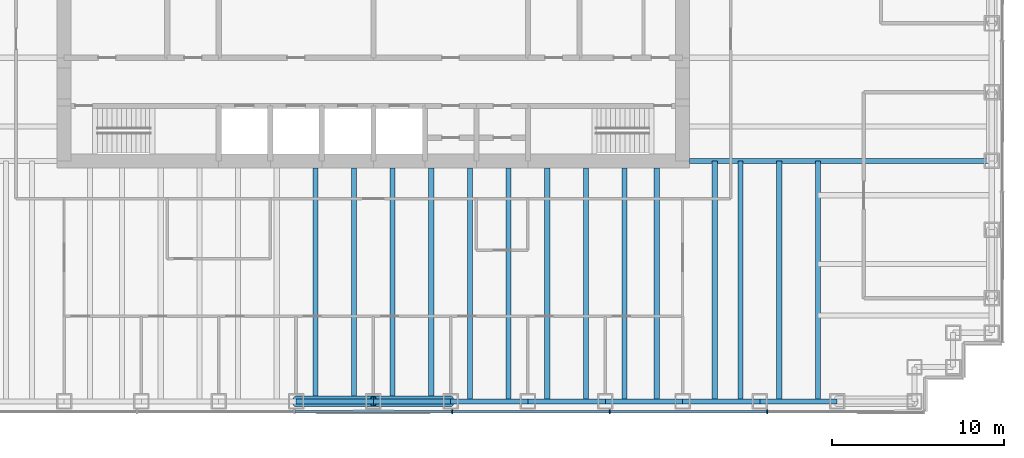
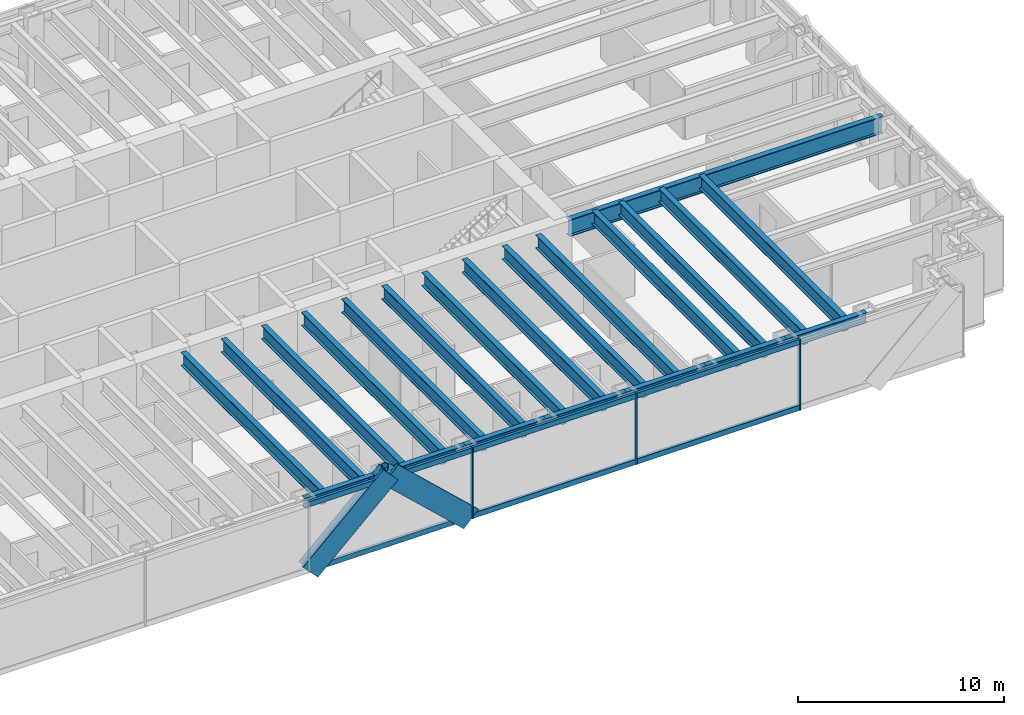
# One storey, part 3 of 14: 22 beams, 13 members, 1 element without a shape of its own.
"""IFC4 building model written with IfcOpenShell, lengths in metres."""

from ifc_helpers import new_model, si_unit, direction, frame, origin, origin_2d, place, context, subcontext, project, spatial, rectangle, hollow_circle, i_section, extrude, material, material_profile, profile_set, type_object, element, aggregate, save


model = new_model("IFC4")

# Units and contexts
model_context = context("Model", 3, precision=1e-05, world=origin(), true_north=direction((0.0, 1.0)))
body_context = subcontext(model_context, "Body", "Model", "MODEL_VIEW")
ifc_project = project(units=[si_unit("LENGTHUNIT", "METRE"), si_unit("AREAUNIT", "SQUARE_METRE"), si_unit("VOLUMEUNIT", "CUBIC_METRE"), si_unit("PLANEANGLEUNIT", "RADIAN"), si_unit("MASSUNIT", "GRAM", prefix="KILO")], contexts=[model_context])

# Site, building, storey
site_placement = place(None, origin())
site = spatial("IfcSite", under=ifc_project, at=site_placement, CompositionType="ELEMENT")
building_placement = place(site_placement, origin())
building = spatial("IfcBuilding", under=site, at=building_placement, Name="Rheinbord Bourse Tower", CompositionType="ELEMENT")
storey_placement = place(building_placement, frame((0.0, 0.0, 211.0)))
storey = spatial("IfcBuildingStorey", under=building, at=storey_placement, Name="L47", CompositionType="ELEMENT", Elevation=211.0)

# Curtain wall, members
ifc_material_1 = material(Name="Dark glass and black aluminium", Category="aluminium")
curtain_wall_type = type_object("IfcCurtainWallType", Name="CW2 DARK GLASS CURTAIN WALL", PredefinedType="USERDEFINED", material=ifc_material_1)
curtain_wall_placement = place(storey_placement, origin())
curtain_wall = element("IfcCurtainWall", 1, at=curtain_wall_placement, inside=storey, type_object=curtain_wall_type, Name="Curtain wall CW2 S L47", ObjectType="UNITISED CURTAIN WALL", PredefinedType="USERDEFINED")
ifc_material_2 = material(Name="Black anodised aluminium", Category="aluminium")
ifc_material_profile_1 = material_profile(ifc_material_2, rectangle(XDim=0.159912109375, YDim=1.2099609375, at=origin_2d()), Name="CW2 DIAGONAL MULLION 1210x160")
ifc_profile_set_1 = profile_set([ifc_material_profile_1], Name="Black anodised aluminium")
member_type_1 = type_object("IfcMemberType", Name="CW2 BLACK DIAGONAL MULLION", PredefinedType="USERDEFINED", material=ifc_profile_set_1)
member_1_placement = place(storey_placement, frame((40.5, 1.39990234375, 0.0), z_axis=(-0.73105922506, 0.0, 0.682314010889), x_axis=(0.0, -1.0, 0.0)))
member_1 = element("IfcMember", 2, at=member_1_placement, type_object=member_type_1, Name="CW2 diagonal mullion a", ObjectType="DIAGONAL MULLION", PredefinedType="USERDEFINED", context=body_context, shape_type="SweptSolid", body=[
    extrude(rectangle(XDim=0.159912109375, YDim=1.2099609375, at=origin_2d()), origin(), (0.0, 0.0, 1.0), 6.155517578125),
])
member_2_placement = place(storey_placement, frame((31.5, 1.39990234375, 0.0), z_axis=(0.73105922506, 0.0, 0.682314010889), x_axis=(0.0, 1.0, 0.0)))
member_2 = element("IfcMember", 3, at=member_2_placement, type_object=member_type_1, Name="CW2 diagonal mullion b", ObjectType="DIAGONAL MULLION", PredefinedType="USERDEFINED", context=body_context, shape_type="SweptSolid", body=[
    extrude(rectangle(XDim=0.159912109375, YDim=1.2099609375, at=origin_2d()), origin(), (0.0, 0.0, 1.0), 6.155517578125),
])
ifc_material_3 = material(Name="Black anodised aluminium", Category="aluminium")
ifc_material_profile_2 = material_profile(ifc_material_3, rectangle(XDim=0.219970703125, YDim=0.070068359375, at=origin_2d()), Name="CW2 MULLION 70x220")
ifc_profile_set_2 = profile_set([ifc_material_profile_2], Name="Black anodised aluminium")
member_type_2 = type_object("IfcMemberType", Name="CW2 BLACK MULLION", PredefinedType="MULLION", material=ifc_profile_set_2)
member_3_placement = place(storey_placement, frame((40.585693359375, 1.39990234375, 0.0), z_axis=(0.0, 0.0, 1.0), x_axis=(0.0, 1.0, 0.0)))
member_3 = element("IfcMember", 4, at=member_3_placement, type_object=member_type_2, Name="CW2 mullion 5", PredefinedType="MULLION", context=body_context, shape_type="SweptSolid", body=[
    extrude(rectangle(XDim=0.219970703125, YDim=0.070068359375, at=origin_2d()), origin(), (0.0, 0.0, 1.0), 4.199951171875),
])
member_4_placement = place(storey_placement, frame((49.757080078125, 1.39990234375, 0.0), z_axis=(0.0, 0.0, 1.0), x_axis=(0.0, 1.0, 0.0)))
member_4 = element("IfcMember", 5, at=member_4_placement, type_object=member_type_2, Name="CW2 mullion 6", PredefinedType="MULLION", context=body_context, shape_type="SweptSolid", body=[
    extrude(rectangle(XDim=0.219970703125, YDim=0.070068359375, at=origin_2d()), origin(), (0.0, 0.0, 1.0), 4.199951171875),
])
member_5_placement = place(storey_placement, frame((58.928466796875, 1.39990234375, 0.0), z_axis=(0.0, 0.0, 1.0), x_axis=(0.0, 1.0, 0.0)))
member_5 = element("IfcMember", 6, at=member_5_placement, type_object=member_type_2, Name="CW2 mullion 7", PredefinedType="MULLION", context=body_context, shape_type="SweptSolid", body=[
    extrude(rectangle(XDim=0.219970703125, YDim=0.070068359375, at=origin_2d()), origin(), (0.0, 0.0, 1.0), 4.199951171875),
])
ifc_material_4 = material(Name="Black anodised aluminium", Category="aluminium")
ifc_material_profile_3 = material_profile(ifc_material_4, rectangle(XDim=0.159912109375, YDim=0.300048828125, at=origin_2d()), Name="CW2 TRANSOM 300x160")
ifc_profile_set_3 = profile_set([ifc_material_profile_3], Name="Black anodised aluminium")
member_type_3 = type_object("IfcMemberType", Name="CW2 BLACK TRANSOM", PredefinedType="USERDEFINED", material=ifc_profile_set_3)
member_6_placement = place(storey_placement, frame((31.44921875, 1.39990234375, 0.14990234375), z_axis=(1.0, 0.0, 0.0), x_axis=(0.0, 1.0, 0.0)))
member_6 = element("IfcMember", 7, at=member_6_placement, type_object=member_type_3, Name="CW2 transom 4.1", ObjectType="TRANSOM", PredefinedType="USERDEFINED", context=body_context, shape_type="SweptSolid", body=[
    extrude(rectangle(XDim=0.159912109375, YDim=0.300048828125, at=origin_2d()), origin(), (0.0, 0.0, 1.0), 9.1015625),
])
member_7_placement = place(storey_placement, frame((31.44921875, 1.39990234375, 4.050048828125), z_axis=(1.0, 0.0, 0.0), x_axis=(0.0, 1.0, 0.0)))
member_7 = element("IfcMember", 8, at=member_7_placement, type_object=member_type_3, Name="CW2 transom 4.2", ObjectType="TRANSOM", PredefinedType="USERDEFINED", context=body_context, shape_type="SweptSolid", body=[
    extrude(rectangle(XDim=0.159912109375, YDim=0.300048828125, at=origin_2d()), origin(), (0.0, 0.0, 1.0), 9.1015625),
])
member_8_placement = place(storey_placement, frame((40.62060546875, 1.39990234375, 0.14990234375), z_axis=(1.0, 0.0, 0.0), x_axis=(0.0, 1.0, 0.0)))
member_8 = element("IfcMember", 9, at=member_8_placement, type_object=member_type_3, Name="CW2 transom 5.1", ObjectType="TRANSOM", PredefinedType="USERDEFINED", context=body_context, shape_type="SweptSolid", body=[
    extrude(rectangle(XDim=0.159912109375, YDim=0.300048828125, at=origin_2d()), origin(), (0.0, 0.0, 1.0), 9.1015625),
])
member_9_placement = place(storey_placement, frame((40.62060546875, 1.39990234375, 4.050048828125), z_axis=(1.0, 0.0, 0.0), x_axis=(0.0, 1.0, 0.0)))
member_9 = element("IfcMember", 10, at=member_9_placement, type_object=member_type_3, Name="CW2 transom 5.2", ObjectType="TRANSOM", PredefinedType="USERDEFINED", context=body_context, shape_type="SweptSolid", body=[
    extrude(rectangle(XDim=0.159912109375, YDim=0.300048828125, at=origin_2d()), origin(), (0.0, 0.0, 1.0), 9.1015625),
])
member_10_placement = place(storey_placement, frame((49.792236328125, 1.39990234375, 0.14990234375), z_axis=(1.0, 0.0, 0.0), x_axis=(0.0, 1.0, 0.0)))
member_10 = element("IfcMember", 11, at=member_10_placement, type_object=member_type_3, Name="CW2 transom 6.1", ObjectType="TRANSOM", PredefinedType="USERDEFINED", context=body_context, shape_type="SweptSolid", body=[
    extrude(rectangle(XDim=0.159912109375, YDim=0.300048828125, at=origin_2d()), origin(), (0.0, 0.0, 1.0), 9.101318359375),
])
member_11_placement = place(storey_placement, frame((49.792236328125, 1.39990234375, 4.050048828125), z_axis=(1.0, 0.0, 0.0), x_axis=(0.0, 1.0, 0.0)))
member_11 = element("IfcMember", 12, at=member_11_placement, type_object=member_type_3, Name="CW2 transom 6.2", ObjectType="TRANSOM", PredefinedType="USERDEFINED", context=body_context, shape_type="SweptSolid", body=[
    extrude(rectangle(XDim=0.159912109375, YDim=0.300048828125, at=origin_2d()), origin(), (0.0, 0.0, 1.0), 9.101318359375),
])
aggregate(curtain_wall, [member_3, member_4, member_5, member_6, member_7, member_8, member_9, member_10, member_11, member_1, member_2])

# Beams
ifc_material_5 = material(Name="Steel S460", Category="steel")
ifc_material_profile_4 = material_profile(ifc_material_5, i_section(OverallWidth=0.300048828125, OverallDepth=0.800048828125, WebThickness=0.017578125, FlangeThickness=0.032958984375, at=origin_2d()), Name="HEB 800")
ifc_profile_set_4 = profile_set([ifc_material_profile_4], Name="Steel S460")
beam_type_1 = type_object("IfcBeamType", Name="FLOOR BEAM HEB 800", PredefinedType="BEAM", material=ifc_profile_set_4)
for number, where, z_axis, x_axis, name in (
    (13, (32.625, 2.0, 3.639892578125), (0.0, 1.0, 0.0), (-1.0, 0.0, 0.0), "Floor beam S-31.5a L48"),
    (14, (34.875, 2.0, 3.639892578125), (0.0, 1.0, 0.0), (-1.0, 0.0, 0.0), "Floor beam S-31.5b L48"),
    (15, (37.125, 2.0, 3.639892578125), (0.0, 1.0, 0.0), (-1.0, 0.0, 0.0), "Floor beam S-36a L48"),
    (16, (39.375, 2.0, 3.639892578125), (0.0, 1.0, 0.0), (-1.0, 0.0, 0.0), "Floor beam S-36b L48"),
    (17, (41.625, 2.0, 3.639892578125), (0.0, 1.0, 0.0), (-1.0, 0.0, 0.0), "Floor beam S-40.5a L48"),
    (18, (43.875, 2.0, 3.639892578125), (0.0, 1.0, 0.0), (-1.0, 0.0, 0.0), "Floor beam S-40.5b L48"),
    (19, (46.125, 2.0, 3.639892578125), (0.0, 1.0, 0.0), (-1.0, 0.0, 0.0), "Floor beam S-45a L48"),
    (20, (48.375, 2.0, 3.639892578125), (0.0, 1.0, 0.0), (-1.0, 0.0, 0.0), "Floor beam S-45b L48"),
    (21, (50.625, 2.0, 3.639892578125), (0.0, 1.0, 0.0), (-1.0, 0.0, 0.0), "Floor beam S-49.5a L48"),
    (22, (52.5, 2.0, 3.639892578125), (0.0, 1.0, 0.0), (-1.0, 0.0, 0.0), "Floor beam S-49.5b L48"),
):
    element("IfcBeam", number, at=place(storey_placement, frame(where, z_axis=z_axis, x_axis=x_axis)), inside=storey, type_object=beam_type_1, Name=name, PredefinedType="BEAM", context=body_context, shape_type="SweptSolid", body=[
        extrude(i_section(OverallWidth=0.300048828125, OverallDepth=0.800048828125, WebThickness=0.017578125, FlangeThickness=0.032958984375, at=origin_2d()), origin(), (0.0, 0.0, 1.0), 13.60009765625),
    ])
for number, where, z_axis, x_axis, name in (
    (23, (55.875, 2.0, 3.639892578125), (0.0, 1.0, 0.0), (-1.0, 0.0, 0.0), "Floor beam S-54a L48"),
    (24, (57.375, 2.0, 3.639892578125), (0.0, 1.0, 0.0), (-1.0, 0.0, 0.0), "Floor beam S-54b L48"),
    (25, (59.625, 2.0, 3.639892578125), (0.0, 1.0, 0.0), (-1.0, 0.0, 0.0), "Floor beam S-58.5a L48"),
    (26, (61.875, 2.0, 3.639892578125), (0.0, 1.0, 0.0), (-1.0, 0.0, 0.0), "Floor beam S-58.5b L48"),
):
    element("IfcBeam", number, at=place(storey_placement, frame(where, z_axis=z_axis, x_axis=x_axis)), inside=storey, type_object=beam_type_1, Name=name, PredefinedType="BEAM", context=body_context, shape_type="SweptSolid", body=[
        extrude(i_section(OverallWidth=0.300048828125, OverallDepth=0.800048828125, WebThickness=0.017578125, FlangeThickness=0.032958984375, at=origin_2d()), origin(), (0.0, 0.0, 1.0), 14.0),
    ])
ifc_material_6 = material(Name="Steel S460", Category="steel")
ifc_material_profile_5 = material_profile(ifc_material_6, i_section(OverallWidth=0.302001953125, OverallDepth=1.008056640625, WebThickness=0.02099609375, FlangeThickness=0.0400390625, at=origin_2d()), Name="HEM 1000")
ifc_profile_set_5 = profile_set([ifc_material_profile_5], Name="Steel S460")
beam_type_2 = type_object("IfcBeamType", Name="GIRDER HEM 1000", PredefinedType="BEAM", material=ifc_profile_set_5)
beam_placement = place(storey_placement, frame((54.39990234375, 16.0, 3.535888671875), z_axis=(1.0, 0.0, 0.0), x_axis=(0.0, 1.0, 0.0)))
element("IfcBeam", 27, at=beam_placement, inside=storey, type_object=beam_type_2, Name="Girder east 16 L48", PredefinedType="BEAM", context=body_context, shape_type="SweptSolid", body=[
    extrude(i_section(OverallWidth=0.302001953125, OverallDepth=1.008056640625, WebThickness=0.02099609375, FlangeThickness=0.0400390625, at=origin_2d()), origin(), (0.0, 0.0, 1.0), 17.60009765625),
])

# Members
ifc_material_7 = material(Name="Steel S460", Category="steel")
ifc_material_profile_6 = material_profile(ifc_material_7, hollow_circle(Radius=0.304931640625, WallThickness=0.0400390625, at=origin_2d()), Name="CHS 610x40")
ifc_profile_set_6 = profile_set([ifc_material_profile_6], Name="Steel S460")
member_type_4 = type_object("IfcMemberType", Name="MEGABRACE CHS 610x40", PredefinedType="BRACE", material=ifc_profile_set_6)
for number, where, z_axis, x_axis, name in (
    (28, (40.5, 2.0, 0.0), (-0.73105922506, 0.0, 0.682314010889), (0.0, -1.0, 0.0), "Megabrace S face line a L47"),
    (29, (31.5, 2.0, 0.0), (0.73105922506, 0.0, 0.682314010889), (0.0, 1.0, 0.0), "Megabrace S face line b L47"),
):
    element("IfcMember", number, at=place(storey_placement, frame(where, z_axis=z_axis, x_axis=x_axis)), inside=storey, type_object=member_type_4, Name=name, PredefinedType="BRACE", context=body_context, shape_type="SweptSolid", body=[
        extrude(hollow_circle(Radius=0.304931640625, WallThickness=0.0400390625, at=origin_2d()), origin(), (0.0, 0.0, 1.0), 6.155517578125),
    ])

# Beams
ifc_material_8 = material(Name="Steel S460", Category="steel")
ifc_material_profile_7 = material_profile(ifc_material_8, i_section(OverallWidth=0.300048828125, OverallDepth=0.60009765625, WebThickness=0.015380859375, FlangeThickness=0.030029296875, at=origin_2d()), Name="HEB 600")
ifc_profile_set_7 = profile_set([ifc_material_profile_7], Name="Steel S460")
beam_type_3 = type_object("IfcBeamType", Name="SPANDREL HEB 600", PredefinedType="SPANDREL", material=ifc_profile_set_7)
for number, where, z_axis, x_axis, name in (
    (30, (31.5, 2.0, 3.739990234375), (1.0, 0.0, 0.0), (0.0, 1.0, 0.0), "Spandrel S-31.5-S-36 under L48"),
    (31, (36.0, 2.0, 3.739990234375), (1.0, 0.0, 0.0), (0.0, 1.0, 0.0), "Spandrel S-36-S-40.5 under L48"),
    (32, (40.5, 2.0, 3.739990234375), (1.0, 0.0, 0.0), (0.0, 1.0, 0.0), "Spandrel S-40.5-S-45 under L48"),
    (33, (45.0, 2.0, 3.739990234375), (1.0, 0.0, 0.0), (0.0, 1.0, 0.0), "Spandrel S-45-S-49.5 under L48"),
    (34, (49.5, 2.0, 3.739990234375), (1.0, 0.0, 0.0), (0.0, 1.0, 0.0), "Spandrel S-49.5-S-54 under L48"),
    (35, (54.0, 2.0, 3.739990234375), (1.0, 0.0, 0.0), (0.0, 1.0, 0.0), "Spandrel S-54-S-58.5 under L48"),
    (36, (58.5, 2.0, 3.739990234375), (1.0, 0.0, 0.0), (0.0, 1.0, 0.0), "Spandrel S-58.5-S-63 under L48"),
):
    element("IfcBeam", number, at=place(storey_placement, frame(where, z_axis=z_axis, x_axis=x_axis)), inside=storey, type_object=beam_type_3, Name=name, PredefinedType="SPANDREL", context=body_context, shape_type="SweptSolid", body=[
        extrude(i_section(OverallWidth=0.300048828125, OverallDepth=0.60009765625, WebThickness=0.015380859375, FlangeThickness=0.030029296875, at=origin_2d()), origin(), (0.0, 0.0, 1.0), 4.5),
    ])

save(model, "model.ifc")
